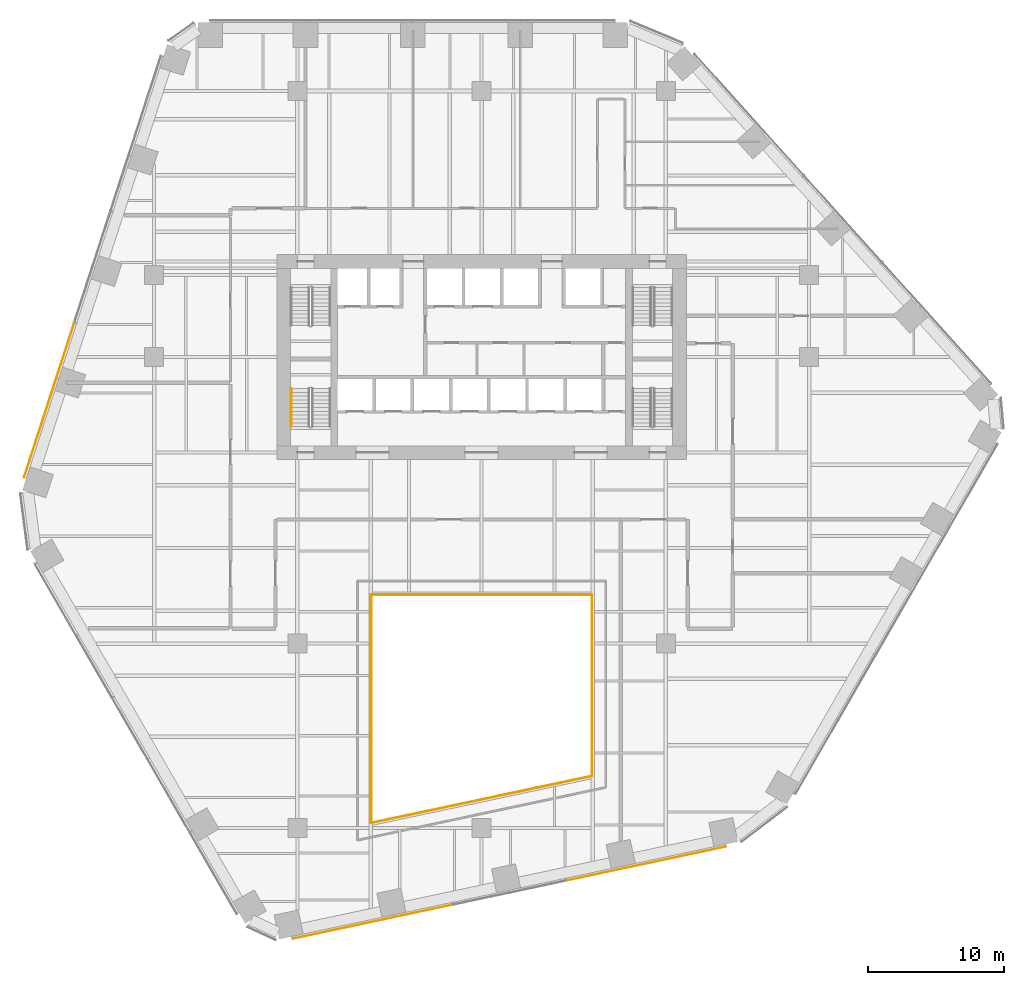
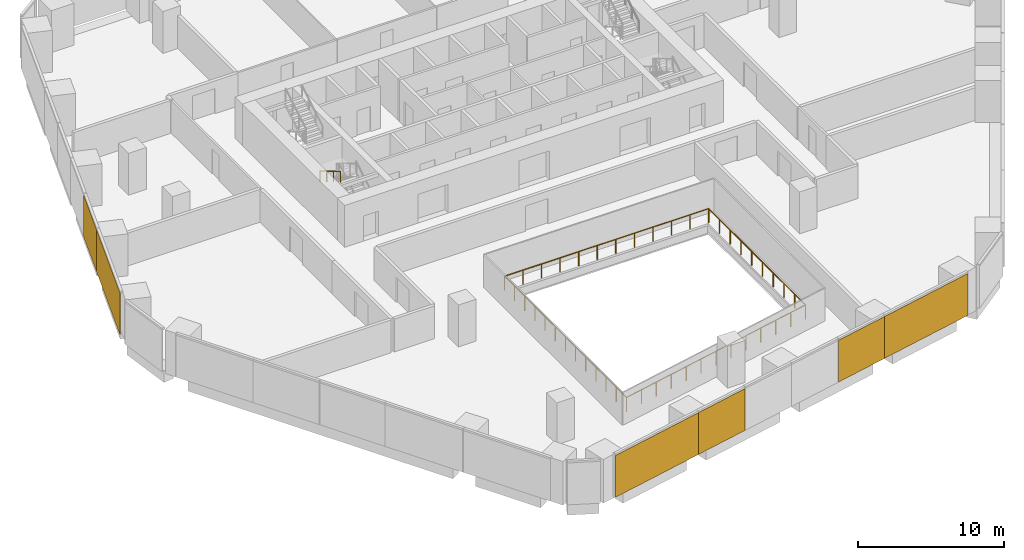
# One storey, part 17 of 20: 6 coverings, 5 railings, 2 elements without a shape of their own.
"""IFC4 building model written with IfcOpenShell, lengths in metres."""

from ifc_helpers import new_model, si_unit, direction, frame, origin, origin_2d, place, context, subcontext, project, spatial, rectangle, circle, extrude, material, layer, layer_set, type_object, element, aggregate, save


model = new_model("IFC4")

# Units and contexts
model_context = context("Model", 3, precision=1e-05, world=origin(), true_north=direction((0.0, 1.0)))
body_context = subcontext(model_context, "Body", "Model", "MODEL_VIEW")
ifc_project = project(units=[si_unit("LENGTHUNIT", "METRE"), si_unit("AREAUNIT", "SQUARE_METRE"), si_unit("VOLUMEUNIT", "CUBIC_METRE"), si_unit("PLANEANGLEUNIT", "RADIAN"), si_unit("MASSUNIT", "GRAM", prefix="KILO")], contexts=[model_context])

# Site, building, storey
site_placement = place(None, origin())
site = spatial("IfcSite", under=ifc_project, at=site_placement, CompositionType="ELEMENT")
building_placement = place(site_placement, origin())
building = spatial("IfcBuilding", under=site, at=building_placement, Name="Isthmus Gate Tower", CompositionType="ELEMENT")
storey_placement = place(building_placement, frame((0.0, 0.0, 43.300048828125)))
storey = spatial("IfcBuildingStorey", under=building, at=storey_placement, Name="L08", CompositionType="ELEMENT", Elevation=43.300048828125)

# Railings
ifc_material_1 = material(Name="Laminated toughened glass balustrade with steel rail", Category="steel")
railing_type_1 = type_object("IfcRailingType", Name="ATRIUM GUARD GLASS BALUSTRADE 1200", PredefinedType="GUARDRAIL", material=ifc_material_1)
railing_1_placement = place(storey_placement, frame((-8.080078125, -26.642822265625, 0.0)))
element("IfcRailing", 1, at=railing_1_placement, inside=storey, type_object=railing_type_1, Name="L08 atrium guard", PredefinedType="GUARDRAIL", context=body_context, shape_type="SweptSolid", body=[
    extrude(circle(Radius=0.02490234375, at=origin_2d()), frame((0.0, 0.0, 1.1748046875), z_axis=(0.0, 1.0, 0.0), x_axis=(-1.0, 0.0, 0.0)), (0.0, 0.0, 1.0), 16.722900390625),
    extrude(circle(Radius=0.02490234375, at=origin_2d()), origin(), (0.0, 0.0, 1.0), 1.14990234375),
    extrude(circle(Radius=0.02490234375, at=origin_2d()), frame((0.0, 1.3935546875, 0.0)), (0.0, 0.0, 1.0), 1.14990234375),
    extrude(circle(Radius=0.02490234375, at=origin_2d()), frame((0.0, 2.787109375, 0.0)), (0.0, 0.0, 1.0), 1.14990234375),
    extrude(circle(Radius=0.02490234375, at=origin_2d()), frame((0.0, 4.1806640625, 0.0)), (0.0, 0.0, 1.0), 1.14990234375),
    extrude(circle(Radius=0.02490234375, at=origin_2d()), frame((0.0, 5.57421875, 0.0)), (0.0, 0.0, 1.0), 1.14990234375),
    extrude(circle(Radius=0.02490234375, at=origin_2d()), frame((0.0, 6.9677734375, 0.0)), (0.0, 0.0, 1.0), 1.14990234375),
    extrude(circle(Radius=0.02490234375, at=origin_2d()), frame((0.0, 8.361328125, 0.0)), (0.0, 0.0, 1.0), 1.14990234375),
    extrude(circle(Radius=0.02490234375, at=origin_2d()), frame((0.0, 9.755126953125, 0.0)), (0.0, 0.0, 1.0), 1.14990234375),
    extrude(circle(Radius=0.02490234375, at=origin_2d()), frame((0.0, 11.148681640625, 0.0)), (0.0, 0.0, 1.0), 1.14990234375),
    extrude(circle(Radius=0.02490234375, at=origin_2d()), frame((0.0, 12.542236328125, 0.0)), (0.0, 0.0, 1.0), 1.14990234375),
    extrude(circle(Radius=0.02490234375, at=origin_2d()), frame((0.0, 13.935791015625, 0.0)), (0.0, 0.0, 1.0), 1.14990234375),
    extrude(circle(Radius=0.02490234375, at=origin_2d()), frame((0.0, 15.329345703125, 0.0)), (0.0, 0.0, 1.0), 1.14990234375),
    extrude(circle(Radius=0.02490234375, at=origin_2d()), frame((0.0, 16.722900390625, 0.0)), (0.0, 0.0, 1.0), 1.14990234375),
])
railing_2_placement = place(storey_placement, frame((-8.080078125, -9.919921875, 0.0)))
element("IfcRailing", 2, at=railing_2_placement, inside=storey, type_object=railing_type_1, Name="L08 atrium guard", PredefinedType="GUARDRAIL", context=body_context, shape_type="SweptSolid", body=[
    extrude(circle(Radius=0.02490234375, at=origin_2d()), frame((0.0, 0.0, 1.1748046875), z_axis=(1.0, 0.0, 0.0), x_axis=(0.0, 1.0, 0.0)), (0.0, 0.0, 1.0), 16.16015625),
    extrude(circle(Radius=0.02490234375, at=origin_2d()), origin(), (0.0, 0.0, 1.0), 1.14990234375),
    extrude(circle(Radius=0.02490234375, at=origin_2d()), frame((1.468994140625, 0.0, 0.0)), (0.0, 0.0, 1.0), 1.14990234375),
    extrude(circle(Radius=0.02490234375, at=origin_2d()), frame((2.938232421875, 0.0, 0.0)), (0.0, 0.0, 1.0), 1.14990234375),
    extrude(circle(Radius=0.02490234375, at=origin_2d()), frame((4.4072265625, 0.0, 0.0)), (0.0, 0.0, 1.0), 1.14990234375),
    extrude(circle(Radius=0.02490234375, at=origin_2d()), frame((5.87646484375, 0.0, 0.0)), (0.0, 0.0, 1.0), 1.14990234375),
    extrude(circle(Radius=0.02490234375, at=origin_2d()), frame((7.345458984375, 0.0, 0.0)), (0.0, 0.0, 1.0), 1.14990234375),
    extrude(circle(Radius=0.02490234375, at=origin_2d()), frame((8.814697265625, 0.0, 0.0)), (0.0, 0.0, 1.0), 1.14990234375),
    extrude(circle(Radius=0.02490234375, at=origin_2d()), frame((10.28369140625, 0.0, 0.0)), (0.0, 0.0, 1.0), 1.14990234375),
    extrude(circle(Radius=0.02490234375, at=origin_2d()), frame((11.7529296875, 0.0, 0.0)), (0.0, 0.0, 1.0), 1.14990234375),
    extrude(circle(Radius=0.02490234375, at=origin_2d()), frame((13.221923828125, 0.0, 0.0)), (0.0, 0.0, 1.0), 1.14990234375),
    extrude(circle(Radius=0.02490234375, at=origin_2d()), frame((14.691162109375, 0.0, 0.0)), (0.0, 0.0, 1.0), 1.14990234375),
    extrude(circle(Radius=0.02490234375, at=origin_2d()), frame((16.16015625, 0.0, 0.0)), (0.0, 0.0, 1.0), 1.14990234375),
])
railing_3_placement = place(storey_placement, frame((8.080078125, -9.919921875, 0.0)))
element("IfcRailing", 3, at=railing_3_placement, inside=storey, type_object=railing_type_1, Name="L08 atrium guard", PredefinedType="GUARDRAIL", context=body_context, shape_type="SweptSolid", body=[
    extrude(circle(Radius=0.02490234375, at=origin_2d()), frame((0.0, 0.0, 1.1748046875), z_axis=(0.0, -1.0, 0.0), x_axis=(1.0, 0.0, 0.0)), (0.0, 0.0, 1.0), 13.2880859375),
    extrude(circle(Radius=0.02490234375, at=origin_2d()), origin(), (0.0, 0.0, 1.0), 1.14990234375),
    extrude(circle(Radius=0.02490234375, at=origin_2d()), frame((0.0, -1.4765625, 0.0)), (0.0, 0.0, 1.0), 1.14990234375),
    extrude(circle(Radius=0.02490234375, at=origin_2d()), frame((0.0, -2.952880859375, 0.0)), (0.0, 0.0, 1.0), 1.14990234375),
    extrude(circle(Radius=0.02490234375, at=origin_2d()), frame((0.0, -4.429443359375, 0.0)), (0.0, 0.0, 1.0), 1.14990234375),
    extrude(circle(Radius=0.02490234375, at=origin_2d()), frame((0.0, -5.90576171875, 0.0)), (0.0, 0.0, 1.0), 1.14990234375),
    extrude(circle(Radius=0.02490234375, at=origin_2d()), frame((0.0, -7.38232421875, 0.0)), (0.0, 0.0, 1.0), 1.14990234375),
    extrude(circle(Radius=0.02490234375, at=origin_2d()), frame((0.0, -8.858642578125, 0.0)), (0.0, 0.0, 1.0), 1.14990234375),
    extrude(circle(Radius=0.02490234375, at=origin_2d()), frame((0.0, -10.335205078125, 0.0)), (0.0, 0.0, 1.0), 1.14990234375),
    extrude(circle(Radius=0.02490234375, at=origin_2d()), frame((0.0, -11.8115234375, 0.0)), (0.0, 0.0, 1.0), 1.14990234375),
    extrude(circle(Radius=0.02490234375, at=origin_2d()), frame((0.0, -13.2880859375, 0.0)), (0.0, 0.0, 1.0), 1.14990234375),
])
railing_4_placement = place(storey_placement, frame((8.080078125, -23.2080078125, 0.0)))
element("IfcRailing", 4, at=railing_4_placement, inside=storey, type_object=railing_type_1, Name="L08 atrium guard", PredefinedType="GUARDRAIL", context=body_context, shape_type="SweptSolid", body=[
    extrude(circle(Radius=0.02490234375, at=origin_2d()), frame((0.0, 0.0, 1.1748046875), z_axis=(-0.978149235358, -0.207904000366, 0.0), x_axis=(0.207904000366, -0.978149235358, 0.0)), (0.0, 0.0, 1.0), 16.521240234375),
    extrude(circle(Radius=0.02490234375, at=origin_2d()), origin(), (0.0, 0.0, 1.0), 1.14990234375),
    extrude(circle(Radius=0.02490234375, at=origin_2d()), frame((-1.3466796875, -0.2861328125, 0.0)), (0.0, 0.0, 1.0), 1.14990234375),
    extrude(circle(Radius=0.02490234375, at=origin_2d()), frame((-2.693359375, -0.572509765625, 0.0)), (0.0, 0.0, 1.0), 1.14990234375),
    extrude(circle(Radius=0.02490234375, at=origin_2d()), frame((-4.0400390625, -0.858642578125, 0.0)), (0.0, 0.0, 1.0), 1.14990234375),
    extrude(circle(Radius=0.02490234375, at=origin_2d()), frame((-5.38671875, -1.14501953125, 0.0)), (0.0, 0.0, 1.0), 1.14990234375),
    extrude(circle(Radius=0.02490234375, at=origin_2d()), frame((-6.7333984375, -1.43115234375, 0.0)), (0.0, 0.0, 1.0), 1.14990234375),
    extrude(circle(Radius=0.02490234375, at=origin_2d()), frame((-8.080078125, -1.71728515625, 0.0)), (0.0, 0.0, 1.0), 1.14990234375),
    extrude(circle(Radius=0.02490234375, at=origin_2d()), frame((-9.4267578125, -2.003662109375, 0.0)), (0.0, 0.0, 1.0), 1.14990234375),
    extrude(circle(Radius=0.02490234375, at=origin_2d()), frame((-10.7734375, -2.289794921875, 0.0)), (0.0, 0.0, 1.0), 1.14990234375),
    extrude(circle(Radius=0.02490234375, at=origin_2d()), frame((-12.1201171875, -2.576171875, 0.0)), (0.0, 0.0, 1.0), 1.14990234375),
    extrude(circle(Radius=0.02490234375, at=origin_2d()), frame((-13.466796875, -2.8623046875, 0.0)), (0.0, 0.0, 1.0), 1.14990234375),
    extrude(circle(Radius=0.02490234375, at=origin_2d()), frame((-14.8134765625, -3.148681640625, 0.0)), (0.0, 0.0, 1.0), 1.14990234375),
    extrude(circle(Radius=0.02490234375, at=origin_2d()), frame((-16.16015625, -3.434814453125, 0.0)), (0.0, 0.0, 1.0), 1.14990234375),
])

# Curtain wall, coverings
ifc_material_2 = material(Name="Aluminium, pale champagne anodised", Category="aluminium")
ifc_layer_1 = layer(ifc_material_2, 0.199951171875)
ifc_layer_set_1 = layer_set([ifc_layer_1], Name="CW-1 UNITISED CURTAIN WALL 200 DEEP")
curtain_wall_type = type_object("IfcCurtainWallType", Name="CW-1 UNITISED CURTAIN WALL 200 DEEP", PredefinedType="NOTDEFINED", material=ifc_layer_set_1)
curtain_wall_1_placement = place(storey_placement, origin())
curtain_wall_1 = element("IfcCurtainWall", 5, at=curtain_wall_1_placement, inside=storey, type_object=curtain_wall_type, Name="CW-1 NW L08", PredefinedType="NOTDEFINED")
ifc_material_3 = material(Name="Aluminium composite panel, pale champagne anodised", Category="aluminium")
ifc_layer_2 = layer(ifc_material_3, 0.0400390625)
ifc_layer_set_2 = layer_set([ifc_layer_2], Name="CW-1 PALE METAL PANEL 40")
covering_type = type_object("IfcCoveringType", Name="CW-1 PALE METAL PANEL 40", PredefinedType="CLADDING", material=ifc_layer_set_2)
covering_1_placement = place(storey_placement, frame((-30.5087890625, 7.9775390625, 0.0), z_axis=(0.0, 0.0, 1.0), x_axis=(-0.309016994375, -0.951056516295, 0.0)))
covering_1 = element("IfcCovering", 6, at=covering_1_placement, type_object=covering_type, Name="CW-1 pale metal panel", PredefinedType="CLADDING", context=body_context, shape_type="SweptSolid", body=[
    extrude(rectangle(XDim=4.234619140625, YDim=0.0400390625, at=origin_2d()), origin(), (0.0, 0.0, 1.0), 3.5),
])
covering_2_placement = place(storey_placement, frame((-32.35107421875, 2.30712890625, 0.0), z_axis=(0.0, 0.0, 1.0), x_axis=(-0.309016994375, -0.951056516295, 0.0)))
covering_2 = element("IfcCovering", 7, at=covering_2_placement, type_object=covering_type, Name="CW-1 pale metal panel", PredefinedType="CLADDING", context=body_context, shape_type="SweptSolid", body=[
    extrude(rectangle(XDim=7.689453125, YDim=0.0400390625, at=origin_2d()), origin(), (0.0, 0.0, 1.0), 3.5),
])
aggregate(curtain_wall_1, [covering_1, covering_2])

curtain_wall_2_placement = place(storey_placement, origin())
curtain_wall_2 = element("IfcCurtainWall", 8, at=curtain_wall_2_placement, inside=storey, type_object=curtain_wall_type, Name="CW-1 S L08", PredefinedType="NOTDEFINED")
covering_3_placement = place(storey_placement, frame((-10.117919921875, -34.334716796875, 0.0), z_axis=(0.0, 0.0, 1.0), x_axis=(0.978147600734, 0.207911690818, 0.0)))
covering_3 = element("IfcCovering", 9, at=covering_3_placement, type_object=covering_type, Name="CW-1 pale metal panel", PredefinedType="CLADDING", context=body_context, shape_type="SweptSolid", body=[
    extrude(rectangle(XDim=7.62939453125, YDim=0.0400390625, at=origin_2d()), origin(), (0.0, 0.0, 1.0), 3.5),
])
covering_4_placement = place(storey_placement, frame((-4.2861328125, -33.094970703125, 0.0), z_axis=(0.0, 0.0, 1.0), x_axis=(0.978147600734, 0.207911690818, 0.0)))
covering_4 = element("IfcCovering", 10, at=covering_4_placement, type_object=covering_type, Name="CW-1 pale metal panel", PredefinedType="CLADDING", context=body_context, shape_type="SweptSolid", body=[
    extrude(rectangle(XDim=4.294677734375, YDim=0.0400390625, at=origin_2d()), origin(), (0.0, 0.0, 1.0), 3.5),
])
covering_5_placement = place(storey_placement, frame((8.345703125, -30.41015625, 0.0), z_axis=(0.0, 0.0, 1.0), x_axis=(0.978147600734, 0.207911690818, 0.0)))
covering_5 = element("IfcCovering", 11, at=covering_5_placement, type_object=covering_type, Name="CW-1 pale metal panel", PredefinedType="CLADDING", context=body_context, shape_type="SweptSolid", body=[
    extrude(rectangle(XDim=4.234619140625, YDim=0.0400390625, at=origin_2d()), origin(), (0.0, 0.0, 1.0), 3.5),
])
covering_6_placement = place(storey_placement, frame((14.177490234375, -29.17041015625, 0.0), z_axis=(0.0, 0.0, 1.0), x_axis=(0.978147600734, 0.207911690818, 0.0)))
covering_6 = element("IfcCovering", 12, at=covering_6_placement, type_object=covering_type, Name="CW-1 pale metal panel", PredefinedType="CLADDING", context=body_context, shape_type="SweptSolid", body=[
    extrude(rectangle(XDim=7.689453125, YDim=0.0400390625, at=origin_2d()), origin(), (0.0, 0.0, 1.0), 3.5),
])
aggregate(curtain_wall_2, [covering_3, covering_4, covering_5, covering_6])

# Railing
ifc_material_4 = material(Name="Stainless steel handrail", Category="steel")
railing_type_2 = type_object("IfcRailingType", Name="STAIR HANDRAIL 900", PredefinedType="HANDRAIL", material=ifc_material_4)
railing_5_placement = place(storey_placement, frame((-13.949951171875, 5.199951171875, 1.990966796875)))
element("IfcRailing", 13, at=railing_5_placement, inside=storey, type_object=railing_type_2, Name="L08 ST7 stair handrail 2", PredefinedType="HANDRAIL", context=body_context, shape_type="SweptSolid", body=[
    extrude(circle(Radius=0.02392578125, at=origin_2d()), frame((0.0, 0.0, 0.8759765625), z_axis=(0.0, -0.860339051648, 0.50972219513), x_axis=(1.0, 0.0, 0.0)), (0.0, 0.0, 1.0), 3.254638671875),
    extrude(circle(Radius=0.02099609375, at=origin_2d()), origin(), (0.0, 0.0, 1.0), 0.851806640625),
    extrude(circle(Radius=0.02099609375, at=origin_2d()), frame((0.0, -0.933349609375, 0.552978515625)), (0.0, 0.0, 1.0), 0.851806640625),
    extrude(circle(Radius=0.02099609375, at=origin_2d()), frame((0.0, -1.86669921875, 1.10595703125)), (0.0, 0.0, 1.0), 0.851806640625),
    extrude(circle(Radius=0.02099609375, at=origin_2d()), frame((0.0, -2.800048828125, 1.658935546875)), (0.0, 0.0, 1.0), 0.851806640625),
])

save(model, "model.ifc")
